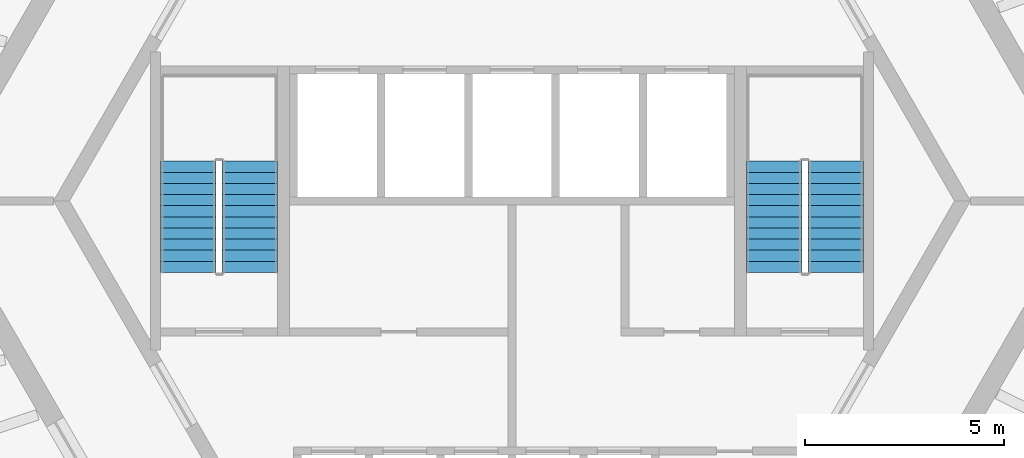
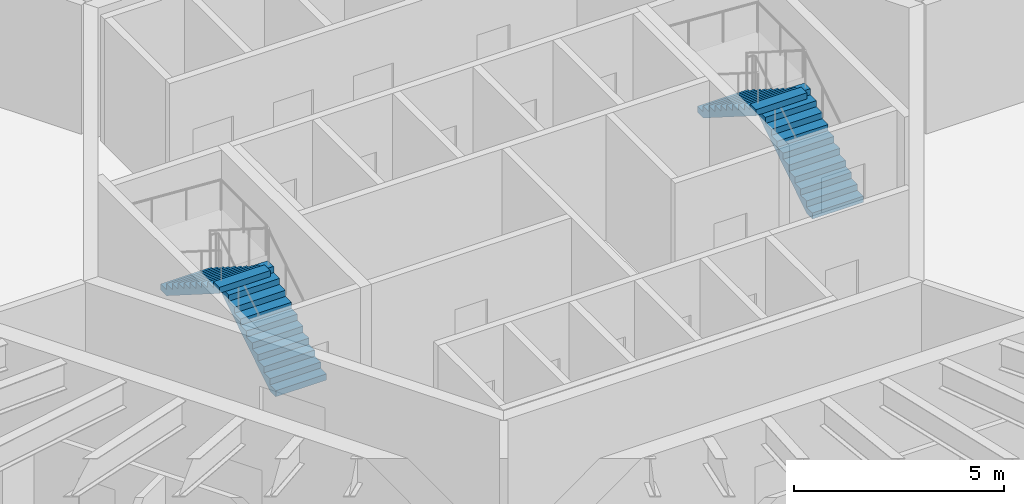
# One storey, part 10 of 11: 4 stair flights, 2 elements without a shape of their own.
"""IFC4 building model written with IfcOpenShell, lengths in metres."""

from ifc_helpers import new_model, si_unit, direction, frame, origin, place, context, subcontext, project, spatial, polyline, outline, extrude, material, type_object, element, aggregate, save


model = new_model("IFC4")

# Units and contexts
model_context = context("Model", 3, precision=1e-05, world=origin(), true_north=direction((0.0, 1.0)))
body_context = subcontext(model_context, "Body", "Model", "MODEL_VIEW")
ifc_project = project(units=[si_unit("LENGTHUNIT", "METRE"), si_unit("AREAUNIT", "SQUARE_METRE"), si_unit("VOLUMEUNIT", "CUBIC_METRE"), si_unit("PLANEANGLEUNIT", "RADIAN"), si_unit("MASSUNIT", "GRAM", prefix="KILO")], contexts=[model_context])

# Site, building, storey
site_placement = place(None, origin())
site = spatial("IfcSite", under=ifc_project, at=site_placement, CompositionType="ELEMENT")
building_placement = place(site_placement, origin())
building = spatial("IfcBuilding", under=site, at=building_placement, Name="Tarnside Tower", CompositionType="ELEMENT")
storey_placement = place(building_placement, frame((0.0, 0.0, 207.300048828125)))
storey = spatial("IfcBuildingStorey", under=building, at=storey_placement, Name="L49", CompositionType="ELEMENT", Elevation=207.300048828125)

# Stair, stair flights
ifc_material = material(Name="Concrete C40/50", Category="concrete")
stair_type = type_object("IfcStairType", Name="Exit stair 1400 clear", PredefinedType="HALF_TURN_STAIR", material=ifc_material)
stair_1_placement = place(storey_placement, origin())
stair_1 = element("IfcStair", 1, at=stair_1_placement, inside=storey, type_object=stair_type, Name="L49 Exit stair 1", PredefinedType="HALF_TURN_STAIR")
stair_flight_type = type_object("IfcStairFlightType", Name="Exit stair flight 1400", PredefinedType="STRAIGHT", material=ifc_material)
stair_flight_1_placement = place(storey_placement, frame((8.14990234375, -1.800048828125, 0.0), z_axis=(0.0, 0.0, 1.0), x_axis=(0.0, 1.0, 0.0)))
stair_flight_1 = element("IfcStairFlight", 2, at=stair_flight_1_placement, type_object=stair_flight_type, Name="ST1 flight 1", NumberOfRisers=11, NumberOfTreads=10, PredefinedType="STRAIGHT", RiserHeight=0.177272727, TreadLength=0.28, context=body_context, shape_type="SweptSolid", body=[
    extrude(outline(polyline([(0.0, 0.0), (0.0, 0.17724609375), (0.280029296875, 0.17724609375), (0.280029296875, 0.3544921875), (0.56005859375, 0.3544921875), (0.56005859375, 0.53173828125), (0.840087890625, 0.53173828125), (0.840087890625, 0.708984375), (1.1201171875, 0.708984375), (1.1201171875, 0.886474609375), (1.39990234375, 0.886474609375), (1.39990234375, 1.063720703125), (1.679931640625, 1.063720703125), (1.679931640625, 1.240966796875), (1.9599609375, 1.240966796875), (1.9599609375, 1.418212890625), (2.239990234375, 1.418212890625), (2.239990234375, 1.595458984375), (2.52001953125, 1.595458984375), (2.52001953125, 1.772705078125), (2.800048828125, 1.772705078125), (2.800048828125, 1.949951171875), (2.800048828125, 1.59521484375), (0.2802734375, 0.0), (0.0, 0.0)])), frame((0.0, 0.699951171875, 0.0), z_axis=(0.0, -1.0, 0.0), x_axis=(1.0, 0.0, 0.0)), (0.0, 0.0, 1.0), 1.39990234375),
])
stair_flight_2_placement = place(storey_placement, frame((6.60009765625, 1.0, 1.949951171875), z_axis=(0.0, 0.0, 1.0), x_axis=(0.0, -1.0, 0.0)))
stair_flight_2 = element("IfcStairFlight", 3, at=stair_flight_2_placement, type_object=stair_flight_type, Name="ST1 flight 2", NumberOfRisers=11, NumberOfTreads=10, PredefinedType="STRAIGHT", RiserHeight=0.177272727, TreadLength=0.28, context=body_context, shape_type="SweptSolid", body=[
    extrude(outline(polyline([(0.0, 0.0), (0.0, 0.17724609375), (0.280029296875, 0.17724609375), (0.280029296875, 0.3544921875), (0.56005859375, 0.3544921875), (0.56005859375, 0.53173828125), (0.840087890625, 0.53173828125), (0.840087890625, 0.708984375), (1.1201171875, 0.708984375), (1.1201171875, 0.886474609375), (1.39990234375, 0.886474609375), (1.39990234375, 1.063720703125), (1.679931640625, 1.063720703125), (1.679931640625, 1.240966796875), (1.9599609375, 1.240966796875), (1.9599609375, 1.418212890625), (2.239990234375, 1.418212890625), (2.239990234375, 1.595458984375), (2.52001953125, 1.595458984375), (2.52001953125, 1.772705078125), (2.800048828125, 1.772705078125), (2.800048828125, 1.949951171875), (2.800048828125, 1.59521484375), (0.2802734375, 0.0), (0.0, 0.0)])), frame((0.0, 0.699951171875, 0.0), z_axis=(0.0, -1.0, 0.0), x_axis=(1.0, 0.0, 0.0)), (0.0, 0.0, 1.0), 1.39990234375),
])
aggregate(stair_1, [stair_flight_1, stair_flight_2])

stair_2_placement = place(storey_placement, origin())
stair_2 = element("IfcStair", 4, at=stair_2_placement, inside=storey, type_object=stair_type, Name="L49 Exit stair 2", PredefinedType="HALF_TURN_STAIR")
stair_flight_3_placement = place(storey_placement, frame((-6.60009765625, -1.800048828125, 0.0), z_axis=(0.0, 0.0, 1.0), x_axis=(0.0, 1.0, 0.0)))
stair_flight_3 = element("IfcStairFlight", 5, at=stair_flight_3_placement, type_object=stair_flight_type, Name="ST2 flight 1", NumberOfRisers=11, NumberOfTreads=10, PredefinedType="STRAIGHT", RiserHeight=0.177272727, TreadLength=0.28, context=body_context, shape_type="SweptSolid", body=[
    extrude(outline(polyline([(0.0, 0.0), (0.0, 0.17724609375), (0.280029296875, 0.17724609375), (0.280029296875, 0.3544921875), (0.56005859375, 0.3544921875), (0.56005859375, 0.53173828125), (0.840087890625, 0.53173828125), (0.840087890625, 0.708984375), (1.1201171875, 0.708984375), (1.1201171875, 0.886474609375), (1.39990234375, 0.886474609375), (1.39990234375, 1.063720703125), (1.679931640625, 1.063720703125), (1.679931640625, 1.240966796875), (1.9599609375, 1.240966796875), (1.9599609375, 1.418212890625), (2.239990234375, 1.418212890625), (2.239990234375, 1.595458984375), (2.52001953125, 1.595458984375), (2.52001953125, 1.772705078125), (2.800048828125, 1.772705078125), (2.800048828125, 1.949951171875), (2.800048828125, 1.59521484375), (0.2802734375, 0.0), (0.0, 0.0)])), frame((0.0, 0.699951171875, 0.0), z_axis=(0.0, -1.0, 0.0), x_axis=(1.0, 0.0, 0.0)), (0.0, 0.0, 1.0), 1.39990234375),
])
stair_flight_4_placement = place(storey_placement, frame((-8.14990234375, 1.0, 1.949951171875), z_axis=(0.0, 0.0, 1.0), x_axis=(0.0, -1.0, 0.0)))
stair_flight_4 = element("IfcStairFlight", 6, at=stair_flight_4_placement, type_object=stair_flight_type, Name="ST2 flight 2", NumberOfRisers=11, NumberOfTreads=10, PredefinedType="STRAIGHT", RiserHeight=0.177272727, TreadLength=0.28, context=body_context, shape_type="SweptSolid", body=[
    extrude(outline(polyline([(0.0, 0.0), (0.0, 0.17724609375), (0.280029296875, 0.17724609375), (0.280029296875, 0.3544921875), (0.56005859375, 0.3544921875), (0.56005859375, 0.53173828125), (0.840087890625, 0.53173828125), (0.840087890625, 0.708984375), (1.1201171875, 0.708984375), (1.1201171875, 0.886474609375), (1.39990234375, 0.886474609375), (1.39990234375, 1.063720703125), (1.679931640625, 1.063720703125), (1.679931640625, 1.240966796875), (1.9599609375, 1.240966796875), (1.9599609375, 1.418212890625), (2.239990234375, 1.418212890625), (2.239990234375, 1.595458984375), (2.52001953125, 1.595458984375), (2.52001953125, 1.772705078125), (2.800048828125, 1.772705078125), (2.800048828125, 1.949951171875), (2.800048828125, 1.59521484375), (0.2802734375, 0.0), (0.0, 0.0)])), frame((0.0, 0.699951171875, 0.0), z_axis=(0.0, -1.0, 0.0), x_axis=(1.0, 0.0, 0.0)), (0.0, 0.0, 1.0), 1.39990234375),
])
aggregate(stair_2, [stair_flight_3, stair_flight_4])

save(model, "model.ifc")
